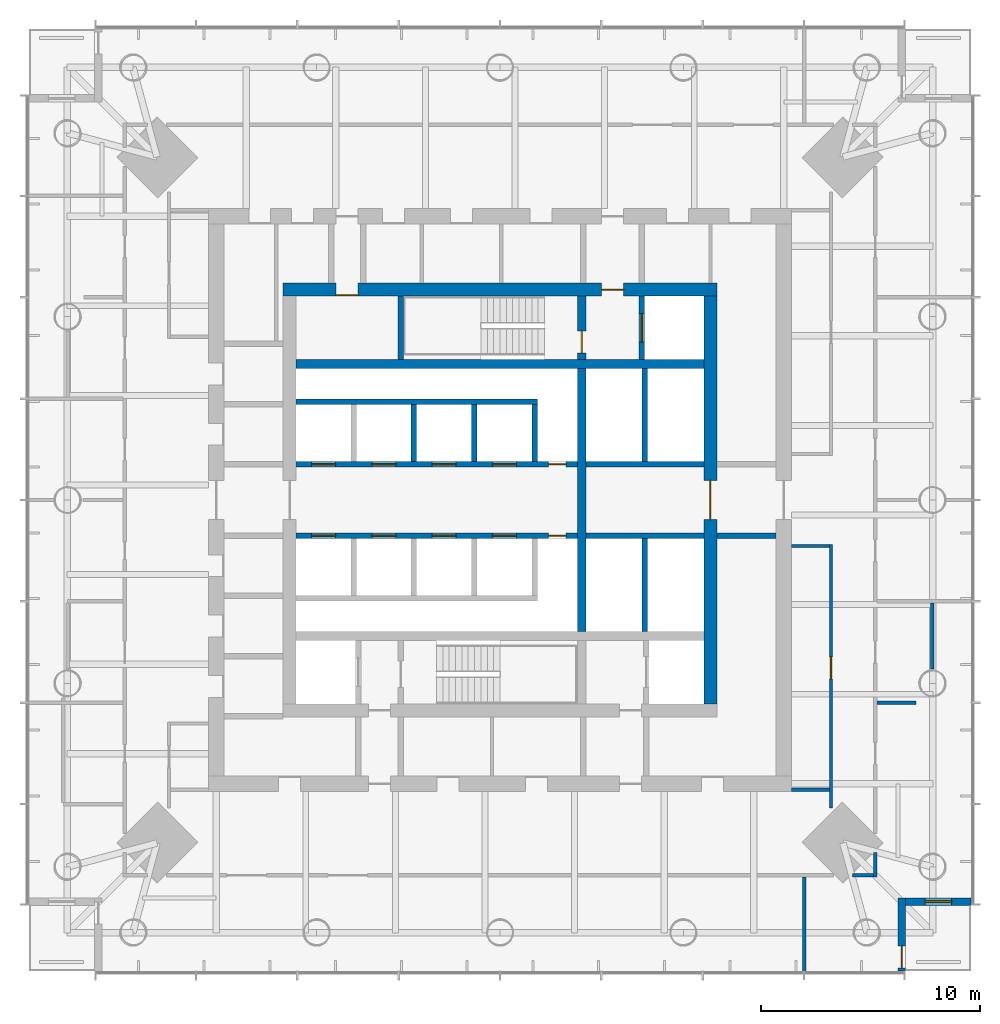
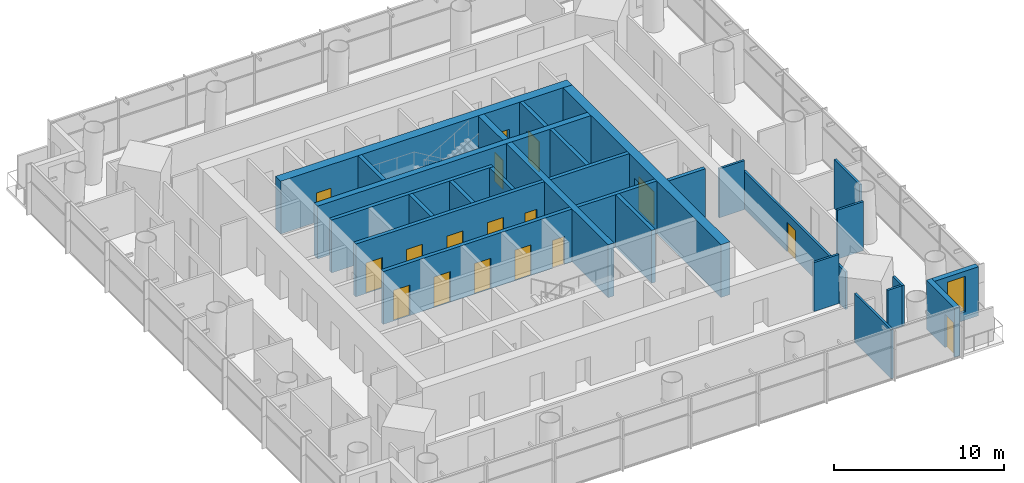
# One storey, part 8 of 11: 28 walls, 17 doors, 1 window, 18 openings.
"""IFC4 building model written with IfcOpenShell, lengths in metres."""

from ifc_helpers import new_model, si_unit, direction, frame, frame_2d, origin, place, context, subcontext, project, spatial, rectangle, extrude, material, layer, layer_set, type_object, element, fill, save


model = new_model("IFC4")

# Units and contexts
model_context = context("Model", 3, precision=1e-05, world=origin(), true_north=direction((0.0, 1.0)))
body_context = subcontext(model_context, "Body", "Model", "MODEL_VIEW")
ifc_project = project(units=[si_unit("LENGTHUNIT", "METRE"), si_unit("AREAUNIT", "SQUARE_METRE"), si_unit("VOLUMEUNIT", "CUBIC_METRE"), si_unit("PLANEANGLEUNIT", "RADIAN"), si_unit("MASSUNIT", "GRAM", prefix="KILO")], contexts=[model_context])

# Site, building, storey
site_placement = place(None, origin())
site = spatial("IfcSite", under=ifc_project, at=site_placement, CompositionType="ELEMENT")
building_placement = place(site_placement, origin())
building = spatial("IfcBuilding", under=site, at=building_placement, Name="Ostroluk Exchange", CompositionType="ELEMENT")
storey_placement = place(building_placement, frame((0.0, 0.0, 154.0)))
storey = spatial("IfcBuildingStorey", under=building, at=storey_placement, Name="L39", CompositionType="ELEMENT", Elevation=154.0)

# Walls
ifc_material_1 = material(Name="Concrete blockwork", Category="masonry")
ifc_layer_1 = layer(ifc_material_1, 0.25)
ifc_layer_set_1 = layer_set([ifc_layer_1], Name="Blockwork stair enclosure wall 250")
wall_type_1 = type_object("IfcWallType", Name="Blockwork stair enclosure wall 250", PredefinedType="SOLIDWALL", material=ifc_layer_set_1)
wall_1_placement = place(storey_placement, frame((54.89990234375, 44.375, 0.0), z_axis=(0.0, 0.0, 1.0), x_axis=(1.0, 0.0, 0.0)))
element("IfcWall", 1, at=wall_1_placement, inside=storey, type_object=wall_type_1, Name="Lift lobby enclosure wall", PredefinedType="SOLIDWALL", context=body_context, shape_type="SweptSolid", body=[
    extrude(rectangle(XDim=2.7001953125, YDim=0.25, at=frame_2d((1.35009765625, 0.0))), origin(), (0.0, 0.0, 1.0), 3.52001953125),
])
ifc_material_2 = material(Name="Concrete C50/60", Category="concrete")
ifc_layer_2 = layer(ifc_material_2, 0.39990234375)
ifc_layer_set_2 = layer_set([ifc_layer_2], Name="Core cross wall 400 C50/60")
wall_type_2 = type_object("IfcWallType", Name="Core cross wall 400 C50/60", PredefinedType="SHEAR", material=ifc_layer_set_2)
wall_2_placement = place(storey_placement, frame((35.699951171875, 52.199951171875, 0.0), z_axis=(0.0, 0.0, 1.0), x_axis=(1.0, 0.0, 0.0)))
element("IfcWall", 2, at=wall_2_placement, inside=storey, type_object=wall_type_2, Name="T1 core wall XN", PredefinedType="SHEAR", context=body_context, shape_type="SweptSolid", body=[
    extrude(rectangle(XDim=18.60009765625, YDim=0.39990234375, at=frame_2d((9.300048828125, 0.0))), origin(), (0.0, 0.0, 1.0), 3.800048828125),
])
wall_3_placement = place(storey_placement, frame((48.72998046875, 40.0, 0.0), z_axis=(0.0, 0.0, 1.0), x_axis=(0.0, 1.0, 0.0)))
element("IfcWall", 3, at=wall_3_placement, inside=storey, type_object=wall_type_2, Name="T1 core wall YE2", PredefinedType="SHEAR", context=body_context, shape_type="SweptSolid", body=[
    extrude(rectangle(XDim=12.0, YDim=0.39990234375, at=frame_2d((6.0, 0.0))), origin(), (0.0, 0.0, 1.0), 3.800048828125),
])

# Wall, opening, door
wall_4_placement = place(storey_placement, frame((48.72998046875, 52.39990234375, 0.0), z_axis=(0.0, 0.0, 1.0), x_axis=(0.0, 1.0, 0.0)))
wall_4 = element("IfcWall", 4, at=wall_4_placement, inside=storey, type_object=wall_type_2, Name="T1 core wall YE3", PredefinedType="SHEAR", context=body_context, shape_type="SweptSolid", body=[
    extrude(rectangle(XDim=2.900146484375, YDim=0.39990234375, at=frame_2d((1.4501953125, 0.0))), origin(), (0.0, 0.0, 1.0), 3.800048828125),
])
opening_1_placement = place(wall_4_placement, frame((0.300048828125, 0.0, 0.0)))
opening_1 = element("IfcOpeningElement", 5, at=opening_1_placement, cuts=wall_4, Name="Opening FD60", PredefinedType="OPENING", context=body_context, shape_type="SweptSolid", body=[
    extrude(rectangle(XDim=1.0, YDim=2.10009765625, at=frame_2d((0.5, 1.050048828125))), frame((0.0, 0.2099609375, 0.0), z_axis=(0.0, -1.0, 0.0), x_axis=(1.0, 0.0, 0.0)), (0.0, 0.0, 1.0), 0.419921875),
])
ifc_material_3 = material(Name="Steel", Category="steel")
door_type_1 = type_object("IfcDoorType", Name="Fire door EI 60 1000 x 2100", OperationType="SINGLE_SWING_LEFT", PredefinedType="DOOR", material=ifc_material_3)
door_1_placement = place(opening_1_placement, origin())
door_1 = element("IfcDoor", 6, at=door_1_placement, inside=storey, type_object=door_type_1, Name="Stair T1-S2 door", OperationType="SINGLE_SWING_LEFT", OverallHeight=2.10009765625, OverallWidth=1.0, PredefinedType="DOOR", context=body_context, shape_type="SweptSolid", body=[
    extrude(rectangle(XDim=1.0, YDim=2.10009765625, at=frame_2d((0.5, 1.050048828125))), frame((0.0, 0.02490234375, 0.0), z_axis=(0.0, -1.0, 0.0), x_axis=(1.0, 0.0, 0.0)), (0.0, 0.0, 1.0), 0.050048828125),
])
fill(opening_1, door_1)

# Wall
ifc_material_4 = material(Name="Concrete C40/50", Category="concrete")
ifc_layer_3 = layer(ifc_material_4, 0.25)
ifc_layer_set_3 = layer_set([ifc_layer_3], Name="Core shaft wall 250")
wall_type_3 = type_object("IfcWallType", Name="Core shaft wall 250", PredefinedType="SHEAR", material=ifc_layer_set_3)
wall_5_placement = place(storey_placement, frame((40.47509765625, 52.39990234375, 0.0), z_axis=(0.0, 0.0, 1.0), x_axis=(0.0, 1.0, 0.0)))
element("IfcWall", 7, at=wall_5_placement, inside=storey, type_object=wall_type_3, Name="Stair shaft wall", PredefinedType="SHEAR", context=body_context, shape_type="SweptSolid", body=[
    extrude(rectangle(XDim=2.900146484375, YDim=0.25, at=frame_2d((1.4501953125, 0.0))), origin(), (0.0, 0.0, 1.0), 3.800048828125),
])

# Wall, opening, door
wall_6_placement = place(storey_placement, frame((51.47509765625, 52.39990234375, 0.0), z_axis=(0.0, 0.0, 1.0), x_axis=(0.0, 1.0, 0.0)))
wall_6 = element("IfcWall", 8, at=wall_6_placement, inside=storey, type_object=wall_type_3, Name="Firefighting lift shaft wall", PredefinedType="SHEAR", context=body_context, shape_type="SweptSolid", body=[
    extrude(rectangle(XDim=2.900146484375, YDim=0.25, at=frame_2d((1.4501953125, 0.0))), origin(), (0.0, 0.0, 1.0), 3.800048828125),
])
opening_2_placement = place(wall_6_placement, frame((0.800048828125, 0.0, 0.0)))
opening_2 = element("IfcOpeningElement", 9, at=opening_2_placement, cuts=wall_6, Name="Opening LD2", PredefinedType="OPENING", context=body_context, shape_type="SweptSolid", body=[
    extrude(rectangle(XDim=1.300048828125, YDim=2.199951171875, at=frame_2d((0.64990234375, 1.10009765625))), frame((0.0, 0.135009765625, 0.0), z_axis=(0.0, -1.0, 0.0), x_axis=(1.0, 0.0, 0.0)), (0.0, 0.0, 1.0), 0.27001953125),
])
ifc_material_5 = material(Name="Stainless steel", Category="steel")
door_type_2 = type_object("IfcDoorType", Name="Lift landing door E 60 1300 x 2200", OperationType="DOUBLE_DOOR_SLIDING", PredefinedType="DOOR", material=ifc_material_5)
door_2_placement = place(opening_2_placement, origin())
door_2 = element("IfcDoor", 10, at=door_2_placement, inside=storey, type_object=door_type_2, Name="Lift FL2 landing door", OperationType="DOUBLE_DOOR_SLIDING", OverallHeight=2.199951171875, OverallWidth=1.300048828125, PredefinedType="DOOR", context=body_context, shape_type="SweptSolid", body=[
    extrude(rectangle(XDim=1.300048828125, YDim=2.199951171875, at=frame_2d((0.64990234375, 1.10009765625))), frame((0.0, 0.02490234375, 0.0), z_axis=(0.0, -1.0, 0.0), x_axis=(1.0, 0.0, 0.0)), (0.0, 0.0, 1.0), 0.050048828125),
])
fill(opening_2, door_2)

# Walls
for number, where, z_axis, x_axis, name in (
    (11, (41.074951171875, 47.75, 0.0), (0.0, 0.0, 1.0), (0.0, 1.0, 0.0), "Lift shaft wall"),
    (12, (43.824951171875, 47.75, 0.0), (0.0, 0.0, 1.0), (0.0, 1.0, 0.0), "Lift shaft wall"),
    (13, (46.574951171875, 47.75, 0.0), (0.0, 0.0, 1.0), (0.0, 1.0, 0.0), "Lift shaft wall"),
):
    element("IfcWall", number, at=place(storey_placement, frame(where, z_axis=z_axis, x_axis=x_axis)), inside=storey, type_object=wall_type_3, Name=name, PredefinedType="SHEAR", context=body_context, shape_type="SweptSolid", body=[
        extrude(rectangle(XDim=2.60009765625, YDim=0.25, at=frame_2d((1.300048828125, 0.0))), origin(), (0.0, 0.0, 1.0), 3.800048828125),
    ])
wall_7_placement = place(storey_placement, frame((35.699951171875, 50.47509765625, 0.0), z_axis=(0.0, 0.0, 1.0), x_axis=(1.0, 0.0, 0.0)))
element("IfcWall", 14, at=wall_7_placement, inside=storey, type_object=wall_type_3, Name="Lift shaft wall", PredefinedType="SHEAR", context=body_context, shape_type="SweptSolid", body=[
    extrude(rectangle(XDim=11.0, YDim=0.25, at=frame_2d((5.5, 0.0))), origin(), (0.0, 0.0, 1.0), 3.800048828125),
])

# Wall, openings, doors
wall_8_placement = place(storey_placement, frame((35.699951171875, 47.625, 0.0), z_axis=(0.0, 0.0, 1.0), x_axis=(1.0, 0.0, 0.0)))
wall_8 = element("IfcWall", 15, at=wall_8_placement, inside=storey, type_object=wall_type_3, Name="Lift shaft front wall", PredefinedType="SHEAR", context=body_context, shape_type="SweptSolid", body=[
    extrude(rectangle(XDim=12.830078125, YDim=0.25, at=frame_2d((6.4150390625, 0.0))), origin(), (0.0, 0.0, 1.0), 3.800048828125),
])
opening_3_placement = place(wall_8_placement, frame((0.699951171875, 0.0, 0.0)))
opening_3 = element("IfcOpeningElement", 16, at=opening_3_placement, cuts=wall_8, Name="Opening LD", PredefinedType="OPENING", context=body_context, shape_type="SweptSolid", body=[
    extrude(rectangle(XDim=1.10009765625, YDim=2.199951171875, at=frame_2d((0.550048828125, 1.10009765625))), frame((0.0, 0.135009765625, 0.0), z_axis=(0.0, -1.0, 0.0), x_axis=(1.0, 0.0, 0.0)), (0.0, 0.0, 1.0), 0.27001953125),
])
opening_4_placement = place(wall_8_placement, frame((3.449951171875, 0.0, 0.0)))
opening_4 = element("IfcOpeningElement", 17, at=opening_4_placement, cuts=wall_8, Name="Opening LD", PredefinedType="OPENING", context=body_context, shape_type="SweptSolid", body=[
    extrude(rectangle(XDim=1.10009765625, YDim=2.199951171875, at=frame_2d((0.550048828125, 1.10009765625))), frame((0.0, 0.135009765625, 0.0), z_axis=(0.0, -1.0, 0.0), x_axis=(1.0, 0.0, 0.0)), (0.0, 0.0, 1.0), 0.27001953125),
])
opening_5_placement = place(wall_8_placement, frame((6.199951171875, 0.0, 0.0)))
opening_5 = element("IfcOpeningElement", 18, at=opening_5_placement, cuts=wall_8, Name="Opening LD", PredefinedType="OPENING", context=body_context, shape_type="SweptSolid", body=[
    extrude(rectangle(XDim=1.10009765625, YDim=2.199951171875, at=frame_2d((0.550048828125, 1.10009765625))), frame((0.0, 0.135009765625, 0.0), z_axis=(0.0, -1.0, 0.0), x_axis=(1.0, 0.0, 0.0)), (0.0, 0.0, 1.0), 0.27001953125),
])
opening_6_placement = place(wall_8_placement, frame((8.949951171875, 0.0, 0.0)))
opening_6 = element("IfcOpeningElement", 19, at=opening_6_placement, cuts=wall_8, Name="Opening LD", PredefinedType="OPENING", context=body_context, shape_type="SweptSolid", body=[
    extrude(rectangle(XDim=1.10009765625, YDim=2.199951171875, at=frame_2d((0.550048828125, 1.10009765625))), frame((0.0, 0.135009765625, 0.0), z_axis=(0.0, -1.0, 0.0), x_axis=(1.0, 0.0, 0.0)), (0.0, 0.0, 1.0), 0.27001953125),
])
opening_7_placement = place(wall_8_placement, frame((11.514892578125, 0.0, 0.0)))
opening_7 = element("IfcOpeningElement", 20, at=opening_7_placement, cuts=wall_8, Name="Opening RD60", PredefinedType="OPENING", context=body_context, shape_type="SweptSolid", body=[
    extrude(rectangle(XDim=0.800048828125, YDim=2.0, at=frame_2d((0.39990234375, 1.0))), frame((0.0, 0.135009765625, 0.0), z_axis=(0.0, -1.0, 0.0), x_axis=(1.0, 0.0, 0.0)), (0.0, 0.0, 1.0), 0.27001953125),
])
ifc_material_6 = material(Name="Stainless steel", Category="steel")
door_type_3 = type_object("IfcDoorType", Name="Lift landing door E 60 1100 x 2200", OperationType="DOUBLE_DOOR_SLIDING", PredefinedType="DOOR", material=ifc_material_6)
door_3_placement = place(opening_3_placement, origin())
door_3 = element("IfcDoor", 21, at=door_3_placement, inside=storey, type_object=door_type_3, Name="Lift PL-M1 landing door", OperationType="DOUBLE_DOOR_SLIDING", OverallHeight=2.199951171875, OverallWidth=1.10009765625, PredefinedType="DOOR", context=body_context, shape_type="SweptSolid", body=[
    extrude(rectangle(XDim=1.10009765625, YDim=2.199951171875, at=frame_2d((0.550048828125, 1.10009765625))), frame((0.0, 0.02490234375, 0.0), z_axis=(0.0, -1.0, 0.0), x_axis=(1.0, 0.0, 0.0)), (0.0, 0.0, 1.0), 0.050048828125),
])
fill(opening_3, door_3)
door_4_placement = place(opening_4_placement, origin())
door_4 = element("IfcDoor", 22, at=door_4_placement, inside=storey, type_object=door_type_3, Name="Lift PL-M2 landing door", OperationType="DOUBLE_DOOR_SLIDING", OverallHeight=2.199951171875, OverallWidth=1.10009765625, PredefinedType="DOOR", context=body_context, shape_type="SweptSolid", body=[
    extrude(rectangle(XDim=1.10009765625, YDim=2.199951171875, at=frame_2d((0.550048828125, 1.10009765625))), frame((0.0, 0.02490234375, 0.0), z_axis=(0.0, -1.0, 0.0), x_axis=(1.0, 0.0, 0.0)), (0.0, 0.0, 1.0), 0.050048828125),
])
fill(opening_4, door_4)
door_5_placement = place(opening_5_placement, origin())
door_5 = element("IfcDoor", 23, at=door_5_placement, inside=storey, type_object=door_type_3, Name="Lift PL-M3 landing door", OperationType="DOUBLE_DOOR_SLIDING", OverallHeight=2.199951171875, OverallWidth=1.10009765625, PredefinedType="DOOR", context=body_context, shape_type="SweptSolid", body=[
    extrude(rectangle(XDim=1.10009765625, YDim=2.199951171875, at=frame_2d((0.550048828125, 1.10009765625))), frame((0.0, 0.02490234375, 0.0), z_axis=(0.0, -1.0, 0.0), x_axis=(1.0, 0.0, 0.0)), (0.0, 0.0, 1.0), 0.050048828125),
])
fill(opening_5, door_5)
door_6_placement = place(opening_6_placement, origin())
door_6 = element("IfcDoor", 24, at=door_6_placement, inside=storey, type_object=door_type_3, Name="Lift PL-M4 landing door", OperationType="DOUBLE_DOOR_SLIDING", OverallHeight=2.199951171875, OverallWidth=1.10009765625, PredefinedType="DOOR", context=body_context, shape_type="SweptSolid", body=[
    extrude(rectangle(XDim=1.10009765625, YDim=2.199951171875, at=frame_2d((0.550048828125, 1.10009765625))), frame((0.0, 0.02490234375, 0.0), z_axis=(0.0, -1.0, 0.0), x_axis=(1.0, 0.0, 0.0)), (0.0, 0.0, 1.0), 0.050048828125),
])
fill(opening_6, door_6)
ifc_material_7 = material(Name="Steel", Category="steel")
door_type_4 = type_object("IfcDoorType", Name="Riser access door EI 60 800 x 2000", OperationType="SINGLE_SWING_LEFT", PredefinedType="DOOR", material=ifc_material_7)
door_7_placement = place(opening_7_placement, origin())
door_7 = element("IfcDoor", 25, at=door_7_placement, inside=storey, type_object=door_type_4, Name="Riser access door", OperationType="SINGLE_SWING_RIGHT", OverallHeight=2.0, OverallWidth=0.800048828125, PredefinedType="DOOR", context=body_context, shape_type="SweptSolid", body=[
    extrude(rectangle(XDim=0.800048828125, YDim=2.0, at=frame_2d((0.39990234375, 1.0))), frame((0.0, 0.02490234375, 0.0), z_axis=(0.0, -1.0, 0.0), x_axis=(1.0, 0.0, 0.0)), (0.0, 0.0, 1.0), 0.050048828125),
])
fill(opening_7, door_7)

wall_9_placement = place(storey_placement, frame((35.699951171875, 44.375, 0.0), z_axis=(0.0, 0.0, 1.0), x_axis=(1.0, 0.0, 0.0)))
wall_9 = element("IfcWall", 26, at=wall_9_placement, inside=storey, type_object=wall_type_3, Name="Lift shaft front wall", PredefinedType="SHEAR", context=body_context, shape_type="SweptSolid", body=[
    extrude(rectangle(XDim=12.830078125, YDim=0.25, at=frame_2d((6.4150390625, 0.0))), origin(), (0.0, 0.0, 1.0), 3.800048828125),
])
opening_8_placement = place(wall_9_placement, frame((0.699951171875, 0.0, 0.0)))
opening_8 = element("IfcOpeningElement", 27, at=opening_8_placement, cuts=wall_9, Name="Opening LD", PredefinedType="OPENING", context=body_context, shape_type="SweptSolid", body=[
    extrude(rectangle(XDim=1.10009765625, YDim=2.199951171875, at=frame_2d((0.550048828125, 1.10009765625))), frame((0.0, 0.135009765625, 0.0), z_axis=(0.0, -1.0, 0.0), x_axis=(1.0, 0.0, 0.0)), (0.0, 0.0, 1.0), 0.27001953125),
])
opening_9_placement = place(wall_9_placement, frame((3.449951171875, 0.0, 0.0)))
opening_9 = element("IfcOpeningElement", 28, at=opening_9_placement, cuts=wall_9, Name="Opening LD", PredefinedType="OPENING", context=body_context, shape_type="SweptSolid", body=[
    extrude(rectangle(XDim=1.10009765625, YDim=2.199951171875, at=frame_2d((0.550048828125, 1.10009765625))), frame((0.0, 0.135009765625, 0.0), z_axis=(0.0, -1.0, 0.0), x_axis=(1.0, 0.0, 0.0)), (0.0, 0.0, 1.0), 0.27001953125),
])
opening_10_placement = place(wall_9_placement, frame((6.199951171875, 0.0, 0.0)))
opening_10 = element("IfcOpeningElement", 29, at=opening_10_placement, cuts=wall_9, Name="Opening LD", PredefinedType="OPENING", context=body_context, shape_type="SweptSolid", body=[
    extrude(rectangle(XDim=1.10009765625, YDim=2.199951171875, at=frame_2d((0.550048828125, 1.10009765625))), frame((0.0, 0.135009765625, 0.0), z_axis=(0.0, -1.0, 0.0), x_axis=(1.0, 0.0, 0.0)), (0.0, 0.0, 1.0), 0.27001953125),
])
opening_11_placement = place(wall_9_placement, frame((8.949951171875, 0.0, 0.0)))
opening_11 = element("IfcOpeningElement", 30, at=opening_11_placement, cuts=wall_9, Name="Opening LD", PredefinedType="OPENING", context=body_context, shape_type="SweptSolid", body=[
    extrude(rectangle(XDim=1.10009765625, YDim=2.199951171875, at=frame_2d((0.550048828125, 1.10009765625))), frame((0.0, 0.135009765625, 0.0), z_axis=(0.0, -1.0, 0.0), x_axis=(1.0, 0.0, 0.0)), (0.0, 0.0, 1.0), 0.27001953125),
])
opening_12_placement = place(wall_9_placement, frame((11.514892578125, 0.0, 0.0)))
opening_12 = element("IfcOpeningElement", 31, at=opening_12_placement, cuts=wall_9, Name="Opening RD60", PredefinedType="OPENING", context=body_context, shape_type="SweptSolid", body=[
    extrude(rectangle(XDim=0.800048828125, YDim=2.0, at=frame_2d((0.39990234375, 1.0))), frame((0.0, 0.135009765625, 0.0), z_axis=(0.0, -1.0, 0.0), x_axis=(1.0, 0.0, 0.0)), (0.0, 0.0, 1.0), 0.27001953125),
])
door_8_placement = place(opening_8_placement, origin())
door_8 = element("IfcDoor", 32, at=door_8_placement, inside=storey, type_object=door_type_3, Name="Lift PL-M5 landing door", OperationType="DOUBLE_DOOR_SLIDING", OverallHeight=2.199951171875, OverallWidth=1.10009765625, PredefinedType="DOOR", context=body_context, shape_type="SweptSolid", body=[
    extrude(rectangle(XDim=1.10009765625, YDim=2.199951171875, at=frame_2d((0.550048828125, 1.10009765625))), frame((0.0, 0.02490234375, 0.0), z_axis=(0.0, -1.0, 0.0), x_axis=(1.0, 0.0, 0.0)), (0.0, 0.0, 1.0), 0.050048828125),
])
fill(opening_8, door_8)
door_9_placement = place(opening_9_placement, origin())
door_9 = element("IfcDoor", 33, at=door_9_placement, inside=storey, type_object=door_type_3, Name="Lift PL-M6 landing door", OperationType="DOUBLE_DOOR_SLIDING", OverallHeight=2.199951171875, OverallWidth=1.10009765625, PredefinedType="DOOR", context=body_context, shape_type="SweptSolid", body=[
    extrude(rectangle(XDim=1.10009765625, YDim=2.199951171875, at=frame_2d((0.550048828125, 1.10009765625))), frame((0.0, 0.02490234375, 0.0), z_axis=(0.0, -1.0, 0.0), x_axis=(1.0, 0.0, 0.0)), (0.0, 0.0, 1.0), 0.050048828125),
])
fill(opening_9, door_9)
door_10_placement = place(opening_10_placement, origin())
door_10 = element("IfcDoor", 34, at=door_10_placement, inside=storey, type_object=door_type_3, Name="Lift PL-M7 landing door", OperationType="DOUBLE_DOOR_SLIDING", OverallHeight=2.199951171875, OverallWidth=1.10009765625, PredefinedType="DOOR", context=body_context, shape_type="SweptSolid", body=[
    extrude(rectangle(XDim=1.10009765625, YDim=2.199951171875, at=frame_2d((0.550048828125, 1.10009765625))), frame((0.0, 0.02490234375, 0.0), z_axis=(0.0, -1.0, 0.0), x_axis=(1.0, 0.0, 0.0)), (0.0, 0.0, 1.0), 0.050048828125),
])
fill(opening_10, door_10)
door_11_placement = place(opening_11_placement, origin())
door_11 = element("IfcDoor", 35, at=door_11_placement, inside=storey, type_object=door_type_3, Name="Lift PL-M8 landing door", OperationType="DOUBLE_DOOR_SLIDING", OverallHeight=2.199951171875, OverallWidth=1.10009765625, PredefinedType="DOOR", context=body_context, shape_type="SweptSolid", body=[
    extrude(rectangle(XDim=1.10009765625, YDim=2.199951171875, at=frame_2d((0.550048828125, 1.10009765625))), frame((0.0, 0.02490234375, 0.0), z_axis=(0.0, -1.0, 0.0), x_axis=(1.0, 0.0, 0.0)), (0.0, 0.0, 1.0), 0.050048828125),
])
fill(opening_11, door_11)
door_12_placement = place(opening_12_placement, origin())
door_12 = element("IfcDoor", 36, at=door_12_placement, inside=storey, type_object=door_type_4, Name="Riser access door", OperationType="SINGLE_SWING_RIGHT", OverallHeight=2.0, OverallWidth=0.800048828125, PredefinedType="DOOR", context=body_context, shape_type="SweptSolid", body=[
    extrude(rectangle(XDim=0.800048828125, YDim=2.0, at=frame_2d((0.39990234375, 1.0))), frame((0.0, 0.02490234375, 0.0), z_axis=(0.0, -1.0, 0.0), x_axis=(1.0, 0.0, 0.0)), (0.0, 0.0, 1.0), 0.050048828125),
])
fill(opening_12, door_12)

# Walls
wall_10_placement = place(storey_placement, frame((51.614990234375, 47.75, 0.0), z_axis=(0.0, 0.0, 1.0), x_axis=(0.0, 1.0, 0.0)))
element("IfcWall", 37, at=wall_10_placement, inside=storey, type_object=wall_type_3, Name="Lift shaft wall", PredefinedType="SHEAR", context=body_context, shape_type="SweptSolid", body=[
    extrude(rectangle(XDim=4.25, YDim=0.25, at=frame_2d((2.125, 0.0))), origin(), (0.0, 0.0, 1.0), 3.800048828125),
])
wall_11_placement = place(storey_placement, frame((48.929931640625, 47.625, 0.0), z_axis=(0.0, 0.0, 1.0), x_axis=(1.0, 0.0, 0.0)))
element("IfcWall", 38, at=wall_11_placement, inside=storey, type_object=wall_type_3, Name="Lift shaft front wall", PredefinedType="SHEAR", context=body_context, shape_type="SweptSolid", body=[
    extrude(rectangle(XDim=5.3701171875, YDim=0.25, at=frame_2d((2.68505859375, 0.0))), origin(), (0.0, 0.0, 1.0), 3.800048828125),
])
wall_12_placement = place(storey_placement, frame((51.614990234375, 44.25, 0.0), z_axis=(0.0, 0.0, 1.0), x_axis=(0.0, -1.0, 0.0)))
element("IfcWall", 39, at=wall_12_placement, inside=storey, type_object=wall_type_3, Name="Lift shaft wall", PredefinedType="SHEAR", context=body_context, shape_type="SweptSolid", body=[
    extrude(rectangle(XDim=4.25, YDim=0.25, at=frame_2d((2.125, 0.0))), origin(), (0.0, 0.0, 1.0), 3.800048828125),
])
wall_13_placement = place(storey_placement, frame((48.929931640625, 44.375, 0.0), z_axis=(0.0, 0.0, 1.0), x_axis=(1.0, 0.0, 0.0)))
element("IfcWall", 40, at=wall_13_placement, inside=storey, type_object=wall_type_3, Name="Lift shaft front wall", PredefinedType="SHEAR", context=body_context, shape_type="SweptSolid", body=[
    extrude(rectangle(XDim=5.3701171875, YDim=0.25, at=frame_2d((2.68505859375, 0.0))), origin(), (0.0, 0.0, 1.0), 3.800048828125),
])

# Wall, openings, doors
ifc_material_8 = material(Name="Concrete C50/60", Category="concrete")
ifc_layer_4 = layer(ifc_material_8, 0.60009765625)
ifc_layer_set_4 = layer_set([ifc_layer_4], Name="Core wall 600 C50/60")
wall_type_4 = type_object("IfcWallType", Name="Core wall 600 C50/60", PredefinedType="SHEAR", material=ifc_layer_set_4)
wall_14_placement = place(storey_placement, frame((35.10009765625, 55.60009765625, 0.0), z_axis=(0.0, 0.0, 1.0), x_axis=(1.0, 0.0, 0.0)))
wall_14 = element("IfcWall", 41, at=wall_14_placement, inside=storey, type_object=wall_type_4, Name="T1 core wall N", PredefinedType="SHEAR", context=body_context, shape_type="SweptSolid", body=[
    extrude(rectangle(XDim=19.7998046875, YDim=0.60009765625, at=frame_2d((9.89990234375, 0.0))), origin(), (0.0, 0.0, 1.0), 3.800048828125),
])
opening_13_placement = place(wall_14_placement, frame((14.5400390625, 0.0, 0.0)))
opening_13 = element("IfcOpeningElement", 42, at=opening_13_placement, cuts=wall_14, Name="Opening FD60", PredefinedType="OPENING", context=body_context, shape_type="SweptSolid", body=[
    extrude(rectangle(XDim=1.0, YDim=2.10009765625, at=frame_2d((0.5, 1.050048828125))), frame((0.0, 0.31005859375, 0.0), z_axis=(0.0, -1.0, 0.0), x_axis=(1.0, 0.0, 0.0)), (0.0, 0.0, 1.0), 0.6201171875),
])
opening_14_placement = place(wall_14_placement, frame((2.425048828125, 0.0, 0.0)))
opening_14 = element("IfcOpeningElement", 43, at=opening_14_placement, cuts=wall_14, Name="Opening FD60", PredefinedType="OPENING", context=body_context, shape_type="SweptSolid", body=[
    extrude(rectangle(XDim=1.0, YDim=2.10009765625, at=frame_2d((0.5, 1.050048828125))), frame((0.0, 0.31005859375, 0.0), z_axis=(0.0, -1.0, 0.0), x_axis=(1.0, 0.0, 0.0)), (0.0, 0.0, 1.0), 0.6201171875),
])
door_13_placement = place(opening_13_placement, origin())
door_13 = element("IfcDoor", 44, at=door_13_placement, inside=storey, type_object=door_type_1, Name="Firefighting lobby door", OperationType="SINGLE_SWING_RIGHT", OverallHeight=2.10009765625, OverallWidth=1.0, PredefinedType="DOOR", context=body_context, shape_type="SweptSolid", body=[
    extrude(rectangle(XDim=1.0, YDim=2.10009765625, at=frame_2d((0.5, 1.050048828125))), frame((0.0, 0.02490234375, 0.0), z_axis=(0.0, -1.0, 0.0), x_axis=(1.0, 0.0, 0.0)), (0.0, 0.0, 1.0), 0.050048828125),
])
fill(opening_13, door_13)
door_14_placement = place(opening_14_placement, origin())
door_14 = element("IfcDoor", 45, at=door_14_placement, inside=storey, type_object=door_type_1, Name="Tea point door", OperationType="SINGLE_SWING_LEFT", OverallHeight=2.10009765625, OverallWidth=1.0, PredefinedType="DOOR", context=body_context, shape_type="SweptSolid", body=[
    extrude(rectangle(XDim=1.0, YDim=2.10009765625, at=frame_2d((0.5, 1.050048828125))), frame((0.0, -0.23974609375, 0.0), z_axis=(0.0, -1.0, 0.0), x_axis=(1.0, 0.0, 0.0)), (0.0, 0.0, 1.0), 0.050048828125),
])
fill(opening_14, door_14)

# Wall, opening, door
wall_15_placement = place(storey_placement, frame((54.60009765625, 36.699951171875, 0.0), z_axis=(0.0, 0.0, 1.0), x_axis=(0.0, 1.0, 0.0)))
wall_15 = element("IfcWall", 46, at=wall_15_placement, inside=storey, type_object=wall_type_4, Name="T1 core wall E", PredefinedType="SHEAR", context=body_context, shape_type="SweptSolid", body=[
    extrude(rectangle(XDim=18.60009765625, YDim=0.60009765625, at=frame_2d((9.300048828125, 0.0))), origin(), (0.0, 0.0, 1.0), 3.800048828125),
])
opening_15_placement = place(wall_15_placement, frame((8.39990234375, 0.0, 0.0)))
opening_15 = element("IfcOpeningElement", 47, at=opening_15_placement, cuts=wall_15, Name="Opening FD30D", PredefinedType="OPENING", context=body_context, shape_type="SweptSolid", body=[
    extrude(rectangle(XDim=1.800048828125, YDim=2.39990234375, at=frame_2d((0.89990234375, 1.199951171875))), frame((0.0, 0.31005859375, 0.0), z_axis=(0.0, -1.0, 0.0), x_axis=(1.0, 0.0, 0.0)), (0.0, 0.0, 1.0), 0.6201171875),
])
ifc_material_9 = material(Name="Timber", Category="wood")
door_type_5 = type_object("IfcDoorType", Name="Lobby double door EI 30 1800 x 2400", OperationType="DOUBLE_DOOR_SINGLE_SWING", PredefinedType="DOOR", material=ifc_material_9)
door_15_placement = place(opening_15_placement, origin())
door_15 = element("IfcDoor", 48, at=door_15_placement, inside=storey, type_object=door_type_5, Name="Lift lobby doors", OperationType="DOUBLE_DOOR_SINGLE_SWING", OverallHeight=2.39990234375, OverallWidth=1.800048828125, PredefinedType="DOOR", context=body_context, shape_type="SweptSolid", body=[
    extrude(rectangle(XDim=1.800048828125, YDim=2.39990234375, at=frame_2d((0.89990234375, 1.199951171875))), frame((0.0, 0.02490234375, 0.0), z_axis=(0.0, -1.0, 0.0), x_axis=(1.0, 0.0, 0.0)), (0.0, 0.0, 1.0), 0.050048828125),
])
fill(opening_15, door_15)

ifc_material_10 = material(Name="Limestone", Category="masonry")
ifc_layer_5 = layer(ifc_material_10, 0.35009765625)
ifc_layer_set_5 = layer_set([ifc_layer_5], Name="Limestone facade wall 350")
wall_type_5 = type_object("IfcWallType", Name="Limestone facade wall 350", PredefinedType="SOLIDWALL", material=ifc_layer_set_5)
wall_16_placement = place(storey_placement, frame((63.324951171875, 24.5, 0.0), z_axis=(0.0, 0.0, 1.0), x_axis=(0.0, 1.0, 0.0)))
wall_16 = element("IfcWall", 49, at=wall_16_placement, inside=storey, type_object=wall_type_5, Name="Office tower SE corner wall L39 a", PredefinedType="SOLIDWALL", context=body_context, shape_type="SweptSolid", body=[
    extrude(rectangle(XDim=3.35009765625, YDim=0.35009765625, at=frame_2d((1.675048828125, 0.0))), origin(), (0.0, 0.0, 1.0), 3.52001953125),
])
opening_16_placement = place(wall_16_placement, frame((0.14990234375, 0.0, 0.0)))
opening_16 = element("IfcOpeningElement", 50, at=opening_16_placement, cuts=wall_16, Name="Opening D-B1", PredefinedType="OPENING", context=body_context, shape_type="SweptSolid", body=[
    extrude(rectangle(XDim=1.0, YDim=2.39990234375, at=frame_2d((0.5, 1.199951171875))), frame((0.0, 0.18505859375, 0.0), z_axis=(0.0, -1.0, 0.0), x_axis=(1.0, 0.0, 0.0)), (0.0, 0.0, 1.0), 0.3701171875),
])
ifc_material_11 = material(Name="Bronze framed glazed door", Category="aluminium")
door_type_6 = type_object("IfcDoorType", Name="Balcony door 1000 x 2400", OperationType="SINGLE_SWING_LEFT", PredefinedType="DOOR", material=ifc_material_11)
door_16_placement = place(opening_16_placement, origin())
door_16 = element("IfcDoor", 51, at=door_16_placement, inside=storey, type_object=door_type_6, Name="Office tower SE balcony door L39", OperationType="SINGLE_SWING_LEFT", OverallHeight=2.39990234375, OverallWidth=1.0, PredefinedType="DOOR", context=body_context, shape_type="SweptSolid", body=[
    extrude(rectangle(XDim=1.0, YDim=2.39990234375, at=frame_2d((0.5, 1.199951171875))), frame((0.0, 0.02490234375, 0.0), z_axis=(0.0, -1.0, 0.0), x_axis=(1.0, 0.0, 0.0)), (0.0, 0.0, 1.0), 0.050048828125),
])
fill(opening_16, door_16)

# Wall, opening, window
wall_17_placement = place(storey_placement, frame((63.5, 27.675048828125, 0.0), z_axis=(0.0, 0.0, 1.0), x_axis=(1.0, 0.0, 0.0)))
wall_17 = element("IfcWall", 52, at=wall_17_placement, inside=storey, type_object=wall_type_5, Name="Office tower SE corner wall L39 b", PredefinedType="SOLIDWALL", context=body_context, shape_type="SweptSolid", body=[
    extrude(rectangle(XDim=3.0, YDim=0.35009765625, at=frame_2d((1.5, 0.0))), origin(), (0.0, 0.0, 1.0), 3.52001953125),
])
opening_17_placement = place(wall_17_placement, frame((0.89990234375, 0.0, 0.60009765625)))
opening_17 = element("IfcOpeningElement", 53, at=opening_17_placement, cuts=wall_17, Name="Opening WN-L1", PredefinedType="OPENING", context=body_context, shape_type="SweptSolid", body=[
    extrude(rectangle(XDim=1.199951171875, YDim=2.550048828125, at=frame_2d((0.60009765625, 1.27490234375))), frame((0.0, 0.18505859375, 0.0), z_axis=(0.0, -1.0, 0.0), x_axis=(1.0, 0.0, 0.0)), (0.0, 0.0, 1.0), 0.3701171875),
])
ifc_material_12 = material(Name="Laminated clear glass", Category="glass")
window_type = type_object("IfcWindowType", Name="Lancet window 1200 x 2550", PartitioningType="SINGLE_PANEL", PredefinedType="WINDOW", material=ifc_material_12)
window_placement = place(opening_17_placement, origin())
window = element("IfcWindow", 54, at=window_placement, inside=storey, type_object=window_type, Name="Office tower SE lancet window L39", OverallHeight=2.550048828125, OverallWidth=1.199951171875, PartitioningType="SINGLE_PANEL", PredefinedType="WINDOW", context=body_context, shape_type="SweptSolid", body=[
    extrude(rectangle(XDim=1.199951171875, YDim=2.550048828125, at=frame_2d((0.60009765625, 1.27490234375))), frame((0.0, 0.030029296875, 0.0), z_axis=(0.0, -1.0, 0.0), x_axis=(1.0, 0.0, 0.0)), (0.0, 0.0, 1.0), 0.06005859375),
])
fill(opening_17, window)

# Wall, opening, door
ifc_material_13 = material(Name="Gypsum plasterboard partition", Category="gypsum")
ifc_layer_6 = layer(ifc_material_13, 0.14990234375)
ifc_layer_set_6 = layer_set([ifc_layer_6], Name="Plasterboard partition 150")
wall_type_6 = type_object("IfcWallType", Name="Plasterboard partition 150", PredefinedType="PARTITIONING", material=ifc_layer_set_6)
wall_18_placement = place(storey_placement, frame((60.10009765625, 31.956298828125, 0.0), z_axis=(0.0, 0.0, 1.0), x_axis=(0.0, 1.0, 0.0)))
wall_18 = element("IfcWall", 55, at=wall_18_placement, inside=storey, type_object=wall_type_6, Name="Partition", PredefinedType="PARTITIONING", context=body_context, shape_type="SweptSolid", body=[
    extrude(rectangle(XDim=12.018798828125, YDim=0.14990234375, at=frame_2d((6.00927734375, 0.0))), origin(), (0.0, 0.0, 1.0), 2.7060546875),
])
opening_18_placement = place(wall_18_placement, frame((5.881103515625, 0.0, 0.0)))
opening_18 = element("IfcOpeningElement", 56, at=opening_18_placement, cuts=wall_18, Name="Opening D-03", PredefinedType="OPENING", context=body_context, shape_type="SweptSolid", body=[
    extrude(rectangle(XDim=1.0, YDim=2.10009765625, at=frame_2d((0.5, 1.050048828125))), frame((0.0, 0.0849609375, 0.0), z_axis=(0.0, -1.0, 0.0), x_axis=(1.0, 0.0, 0.0)), (0.0, 0.0, 1.0), 0.169921875),
])
ifc_material_14 = material(Name="Timber", Category="wood")
door_type_7 = type_object("IfcDoorType", Name="Internal door 1000 x 2100", OperationType="SINGLE_SWING_LEFT", PredefinedType="DOOR", material=ifc_material_14)
door_17_placement = place(opening_18_placement, origin())
door_17 = element("IfcDoor", 57, at=door_17_placement, inside=storey, type_object=door_type_7, Name="Project room door", OperationType="SINGLE_SWING_RIGHT", OverallHeight=2.10009765625, OverallWidth=1.0, PredefinedType="DOOR", context=body_context, shape_type="SweptSolid", body=[
    extrude(rectangle(XDim=1.0, YDim=2.10009765625, at=frame_2d((0.5, 1.050048828125))), frame((0.0, 0.02490234375, 0.0), z_axis=(0.0, -1.0, 0.0), x_axis=(1.0, 0.0, 0.0)), (0.0, 0.0, 1.0), 0.050048828125),
])
fill(opening_18, door_17)

# Walls
for number, where, z_axis, x_axis, name in (
    (58, (58.300048828125, 32.77490234375, 0.0), (0.0, 0.0, 1.0), (1.0, 0.0, 0.0), "Partition"),
    (59, (58.300048828125, 43.89990234375, 0.0), (0.0, 0.0, 1.0), (1.0, 0.0, 0.0), "Partition"),
):
    element("IfcWall", number, at=place(storey_placement, frame(where, z_axis=z_axis, x_axis=x_axis)), inside=storey, type_object=wall_type_6, Name=name, PredefinedType="PARTITIONING", context=body_context, shape_type="SweptSolid", body=[
        extrude(rectangle(XDim=1.724853515625, YDim=0.14990234375, at=frame_2d((0.8623046875, 0.0))), origin(), (0.0, 0.0, 1.0), 3.52001953125),
    ])
wall_19_placement = place(storey_placement, frame((64.72509765625, 38.295166015625, 0.0), z_axis=(0.0, 0.0, 1.0), x_axis=(0.0, 1.0, 0.0)))
element("IfcWall", 60, at=wall_19_placement, inside=storey, type_object=wall_type_6, Name="Partition", PredefinedType="PARTITIONING", context=body_context, shape_type="SweptSolid", body=[
    extrude(rectangle(XDim=3.0048828125, YDim=0.14990234375, at=frame_2d((1.50244140625, 0.0))), origin(), (0.0, 0.0, 1.0), 3.52001953125),
])
wall_20_placement = place(storey_placement, frame((62.125, 28.800048828125, 0.0), z_axis=(0.0, 0.0, 1.0), x_axis=(0.0, 1.0, 0.0)))
element("IfcWall", 61, at=wall_20_placement, inside=storey, type_object=wall_type_6, Name="Partition", PredefinedType="PARTITIONING", context=body_context, shape_type="SweptSolid", body=[
    extrude(rectangle(XDim=1.111572265625, YDim=0.14990234375, at=frame_2d((0.5556640625, 0.0))), origin(), (0.0, 0.0, 1.0), 2.919921875),
])
wall_21_placement = place(storey_placement, frame((62.199951171875, 36.75, 0.0), z_axis=(0.0, 0.0, 1.0), x_axis=(1.0, 0.0, 0.0)))
element("IfcWall", 62, at=wall_21_placement, inside=storey, type_object=wall_type_6, Name="Partition", PredefinedType="PARTITIONING", context=body_context, shape_type="SweptSolid", body=[
    extrude(rectangle(XDim=1.788330078125, YDim=0.14990234375, at=frame_2d((0.89404296875, 0.0))), origin(), (0.0, 0.0, 1.0), 3.52001953125),
])
wall_22_placement = place(storey_placement, frame((61.08837890625, 28.875, 0.0), z_axis=(0.0, 0.0, 1.0), x_axis=(1.0, 0.0, 0.0)))
element("IfcWall", 63, at=wall_22_placement, inside=storey, type_object=wall_type_6, Name="Partition", PredefinedType="PARTITIONING", context=body_context, shape_type="SweptSolid", body=[
    extrude(rectangle(XDim=0.961669921875, YDim=0.14990234375, at=frame_2d((0.48095703125, 0.0))), origin(), (0.0, 0.0, 1.0), 2.919921875),
])
wall_23_placement = place(storey_placement, frame((58.875, 28.800048828125, 0.0), z_axis=(0.0, 0.0, 1.0), x_axis=(0.0, -1.0, 0.0)))
element("IfcWall", 64, at=wall_23_placement, inside=storey, type_object=wall_type_6, Name="Partition", PredefinedType="PARTITIONING", context=body_context, shape_type="SweptSolid", body=[
    extrude(rectangle(XDim=4.340087890625, YDim=0.14990234375, at=frame_2d((2.169921875, 0.0))), origin(), (0.0, 0.0, 1.0), 3.52001953125),
])

save(model, "model.ifc")
